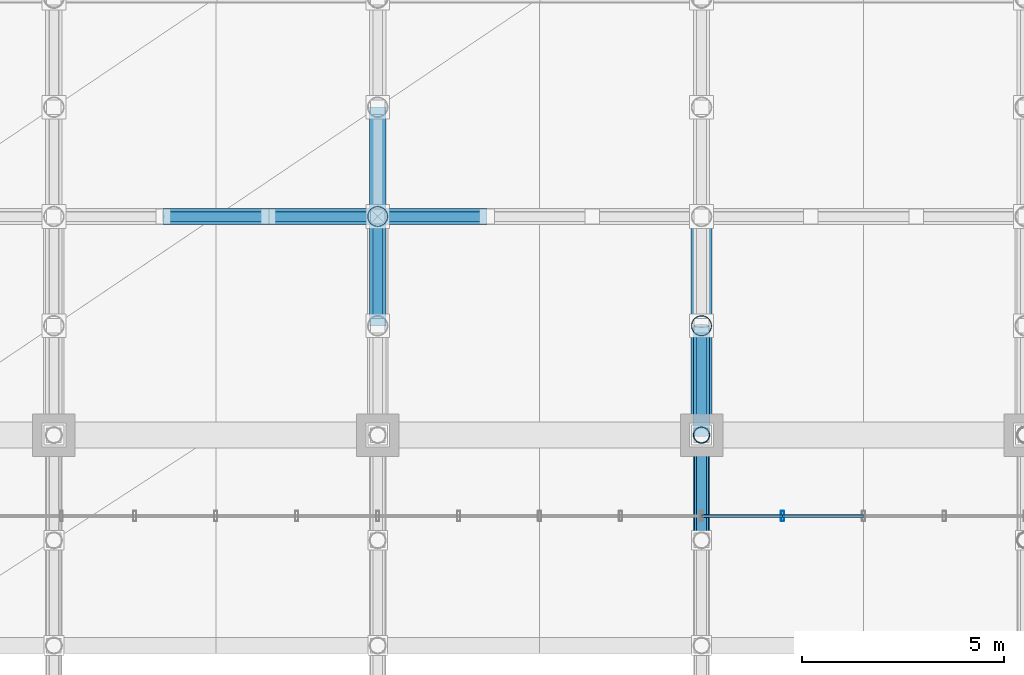
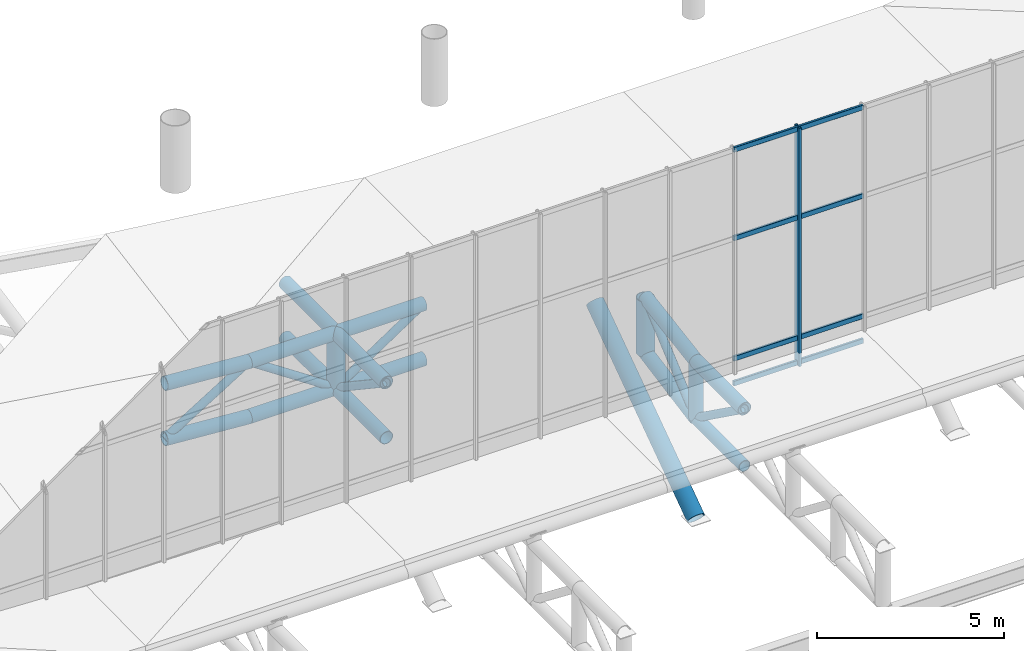
# One storey, part 50 of 137: 33 members, 1 element without a shape of its own.
"""IFC4 building model written with IfcOpenShell, lengths in metres."""

from ifc_helpers import new_model, si_unit, direction, frame, origin, origin_2d, place, context, subcontext, project, spatial, hollow_rectangle, hollow_circle, extrude, material, layer, layer_set, material_profile, profile_set, type_object, element, aggregate, save


model = new_model("IFC4")

# Units and contexts
model_context = context("Model", 3, precision=1e-05, world=origin(), true_north=direction((0.0, 1.0)))
body_context = subcontext(model_context, "Body", "Model", "MODEL_VIEW")
ifc_project = project(units=[si_unit("LENGTHUNIT", "METRE"), si_unit("AREAUNIT", "SQUARE_METRE"), si_unit("VOLUMEUNIT", "CUBIC_METRE"), si_unit("PLANEANGLEUNIT", "RADIAN"), si_unit("MASSUNIT", "GRAM", prefix="KILO")], contexts=[model_context])

# Site, building, storey
site_placement = place(None, origin())
site = spatial("IfcSite", under=ifc_project, at=site_placement, CompositionType="ELEMENT")
building_placement = place(site_placement, origin())
building = spatial("IfcBuilding", under=site, at=building_placement, Name="Khorjan Park Terminus", CompositionType="ELEMENT")
storey_placement = place(building_placement, frame((0.0, 0.0, 11.4)))
storey = spatial("IfcBuildingStorey", under=building, at=storey_placement, Name="L02", CompositionType="ELEMENT", Elevation=11.4)

# Members
ifc_material_1 = material(Name="Steel S355", Category="steel")
ifc_material_profile_1 = material_profile(ifc_material_1, hollow_circle(Radius=0.1222, WallThickness=0.0125, at=origin_2d()), Name="CHS 244.5x12.5")
ifc_profile_set_1 = profile_set([ifc_material_profile_1], Name="Steel S355")
member_type_1 = type_object("IfcMemberType", Name="MB-BR-245", PredefinedType="BRACE", material=ifc_profile_set_1)
member_1_placement = place(storey_placement, frame((88.0, 85.4, -0.05), z_axis=(0.0, 0.811830357573, -0.583893372562), x_axis=(-1.0, 0.0, 0.0)))
element("IfcMember", 1, at=member_1_placement, inside=storey, type_object=member_type_1, Name="Lower shell cantilever truss diagonal (6N)", PredefinedType="BRACE", context=body_context, shape_type="SweptSolid", body=[
    extrude(hollow_circle(Radius=0.1222, WallThickness=0.0125, at=origin_2d()), origin(), (0.0, 0.0, 1.0), 3.2026),
])
ifc_material_profile_2 = material_profile(ifc_material_1, hollow_circle(Radius=0.1222, WallThickness=0.0125, at=origin_2d()), Name="CHS 244.5x12.5")
ifc_profile_set_2 = profile_set([ifc_material_profile_2], Name="Steel S355")
member_type_2 = type_object("IfcMemberType", Name="MB-BRE-245", PredefinedType="BRACE", material=ifc_profile_set_2)
member_2_placement = place(storey_placement, frame((80.0, 90.7, 0.392), z_axis=(0.0, 0.832050294338, -0.554700196225), x_axis=(-1.0, 0.0, 0.0)))
element("IfcMember", 2, at=member_2_placement, inside=storey, type_object=member_type_2, Name="Lower shell cantilever truss diagonal (5N)", PredefinedType="BRACE", context=body_context, shape_type="SweptSolid", body=[
    extrude(hollow_circle(Radius=0.1222, WallThickness=0.0125, at=origin_2d()), origin(), (0.0, 0.0, 1.0), 3.245),
])
member_3_placement = place(storey_placement, frame((88.0, 88.0, -1.92), z_axis=(0.0, 0.759574242279, 0.650420610426), x_axis=(-1.0, 0.0, 0.0)))
element("IfcMember", 3, at=member_3_placement, inside=storey, type_object=member_type_2, Name="Lower shell cantilever truss diagonal (6N)", PredefinedType="BRACE", context=body_context, shape_type="SweptSolid", body=[
    extrude(hollow_circle(Radius=0.1222, WallThickness=0.0125, at=origin_2d()), origin(), (0.0, 0.0, 1.0), 3.5546),
])
member_4_placement = place(storey_placement, frame((74.7, 93.4, -1.2194), z_axis=(0.849990525921, 0.0, 0.526797974411), x_axis=(0.0, 1.0, 0.0)))
element("IfcMember", 4, at=member_4_placement, inside=storey, type_object=member_type_2, Name="Lower shell mid-ring diagonal (N15)", PredefinedType="BRACE", context=body_context, shape_type="SweptSolid", body=[
    extrude(hollow_circle(Radius=0.1222, WallThickness=0.0125, at=origin_2d()), origin(), (0.0, 0.0, 1.0), 3.0589),
])
for number, where, z_axis, x_axis, name in (
    (5, (77.3, 93.4, 0.392), (0.832050294338, 0.0, -0.554700196225), (0.0, 1.0, 0.0), "Lower shell mid-ring diagonal (N16)"),
    (6, (80.0, 93.4, -1.408), (0.832050294338, 0.0, 0.554700196225), (0.0, 1.0, 0.0), "Lower shell mid-ring diagonal (N17)"),
):
    element("IfcMember", number, at=place(storey_placement, frame(where, z_axis=z_axis, x_axis=x_axis)), inside=storey, type_object=member_type_2, Name=name, PredefinedType="BRACE", context=body_context, shape_type="SweptSolid", body=[
        extrude(hollow_circle(Radius=0.1222, WallThickness=0.0125, at=origin_2d()), origin(), (0.0, 0.0, 1.0), 3.245),
    ])
ifc_material_profile_3 = material_profile(ifc_material_1, hollow_circle(Radius=0.1778, WallThickness=0.016, at=origin_2d()), Name="CHS 355.6x16")
ifc_profile_set_3 = profile_set([ifc_material_profile_3], Name="Steel S355")
member_type_3 = type_object("IfcMemberType", Name="MB-CH-356", PredefinedType="CHORD", material=ifc_profile_set_3)
member_5_placement = place(storey_placement, frame((88.0, 85.4, -1.92), z_axis=(0.0, 1.0, 0.0), x_axis=(-1.0, 0.0, 0.0)))
element("IfcMember", 7, at=member_5_placement, inside=storey, type_object=member_type_3, Name="Lower shell cantilever truss bottom chord (6N)", PredefinedType="CHORD", context=body_context, shape_type="SweptSolid", body=[
    extrude(hollow_circle(Radius=0.1778, WallThickness=0.016, at=origin_2d()), origin(), (0.0, 0.0, 1.0), 2.6),
])
ifc_material_profile_4 = material_profile(ifc_material_1, hollow_circle(Radius=0.2032, WallThickness=0.016, at=origin_2d()), Name="CHS 406.4x16")
ifc_profile_set_4 = profile_set([ifc_material_profile_4], Name="Steel S355")
member_type_4 = type_object("IfcMemberType", Name="MB-CH-406", PredefinedType="CHORD", material=ifc_profile_set_4)
member_6_placement = place(storey_placement, frame((88.0, 85.4, -0.05), z_axis=(0.0, 1.0, 0.0), x_axis=(-1.0, 0.0, 0.0)))
element("IfcMember", 8, at=member_6_placement, inside=storey, type_object=member_type_4, Name="Lower shell cantilever truss top chord (6N)", PredefinedType="CHORD", context=body_context, shape_type="SweptSolid", body=[
    extrude(hollow_circle(Radius=0.2032, WallThickness=0.016, at=origin_2d()), origin(), (0.0, 0.0, 1.0), 2.6),
])
ifc_material_profile_5 = material_profile(ifc_material_1, hollow_circle(Radius=0.2032, WallThickness=0.016, at=origin_2d()), Name="CHS 406.4x16")
ifc_profile_set_5 = profile_set([ifc_material_profile_5], Name="Steel S355")
member_type_5 = type_object("IfcMemberType", Name="MB-CHE-406", PredefinedType="CHORD", material=ifc_profile_set_5)
for number, where, z_axis, x_axis, name in (
    (9, (80.0, 90.7, 0.392), (0.0, 1.0, 0.0), (-1.0, 0.0, 0.0), "Lower shell cantilever truss top chord (5N)"),
    (10, (80.0, 90.7, -1.408), (0.0, 1.0, 0.0), (-1.0, 0.0, 0.0), "Lower shell cantilever truss bottom chord (5N)"),
    (11, (80.0, 93.4, 0.392), (0.0, 1.0, 0.0), (-1.0, 0.0, 0.0), "Lower shell cantilever truss top chord (5N)"),
    (12, (80.0, 93.4, -1.408), (0.0, 1.0, 0.0), (-1.0, 0.0, 0.0), "Lower shell cantilever truss bottom chord (5N)"),
):
    element("IfcMember", number, at=place(storey_placement, frame(where, z_axis=z_axis, x_axis=x_axis)), inside=storey, type_object=member_type_5, Name=name, PredefinedType="CHORD", context=body_context, shape_type="SweptSolid", body=[
        extrude(hollow_circle(Radius=0.2032, WallThickness=0.016, at=origin_2d()), origin(), (0.0, 0.0, 1.0), 2.7),
    ])
member_7_placement = place(storey_placement, frame((88.0, 88.0, -0.05), z_axis=(0.0, 0.986863989833, 0.161553290188), x_axis=(-1.0, 0.0, 0.0)))
element("IfcMember", 13, at=member_7_placement, inside=storey, type_object=member_type_5, Name="Lower shell cantilever truss top chord (6N)", PredefinedType="CHORD", context=body_context, shape_type="SweptSolid", body=[
    extrude(hollow_circle(Radius=0.2032, WallThickness=0.016, at=origin_2d()), origin(), (0.0, 0.0, 1.0), 2.7359),
])
member_8_placement = place(storey_placement, frame((88.0, 88.0, -1.92), z_axis=(0.0, 0.98249111826, 0.18630942687), x_axis=(-1.0, 0.0, 0.0)))
element("IfcMember", 14, at=member_8_placement, inside=storey, type_object=member_type_5, Name="Lower shell cantilever truss bottom chord (6N)", PredefinedType="CHORD", context=body_context, shape_type="SweptSolid", body=[
    extrude(hollow_circle(Radius=0.2032, WallThickness=0.016, at=origin_2d()), origin(), (0.0, 0.0, 1.0), 2.7481),
])
for number, where, z_axis, x_axis, name in (
    (15, (74.7, 93.4, 0.5806), (0.997379423046, 0.0, -0.072348368918), (0.0, 1.0, 0.0), "Lower shell mid-ring top chord (N15)"),
    (16, (74.7, 93.4, -1.2194), (0.997379423046, 0.0, -0.072348368918), (0.0, 1.0, 0.0), "Lower shell mid-ring bottom chord (N15)"),
):
    element("IfcMember", number, at=place(storey_placement, frame(where, z_axis=z_axis, x_axis=x_axis)), inside=storey, type_object=member_type_5, Name=name, PredefinedType="CHORD", context=body_context, shape_type="SweptSolid", body=[
        extrude(hollow_circle(Radius=0.2032, WallThickness=0.016, at=origin_2d()), origin(), (0.0, 0.0, 1.0), 2.6068),
    ])
for number, where, z_axis, x_axis, name in (
    (17, (77.3, 93.4, 0.392), (1.0, 0.0, 0.0), (0.0, 1.0, 0.0), "Lower shell mid-ring top chord (N16)"),
    (18, (77.3, 93.4, -1.408), (1.0, 0.0, 0.0), (0.0, 1.0, 0.0), "Lower shell mid-ring bottom chord (N16)"),
    (19, (80.0, 93.4, 0.392), (1.0, 0.0, 0.0), (0.0, 1.0, 0.0), "Lower shell mid-ring top chord (N17)"),
    (20, (80.0, 93.4, -1.408), (1.0, 0.0, 0.0), (0.0, 1.0, 0.0), "Lower shell mid-ring bottom chord (N17)"),
):
    element("IfcMember", number, at=place(storey_placement, frame(where, z_axis=z_axis, x_axis=x_axis)), inside=storey, type_object=member_type_5, Name=name, PredefinedType="CHORD", context=body_context, shape_type="SweptSolid", body=[
        extrude(hollow_circle(Radius=0.2032, WallThickness=0.016, at=origin_2d()), origin(), (0.0, 0.0, 1.0), 2.7),
    ])
ifc_material_profile_6 = material_profile(ifc_material_1, hollow_circle(Radius=0.2032, WallThickness=0.016, at=origin_2d()), Name="CHS 406.4x16")
ifc_profile_set_6 = profile_set([ifc_material_profile_6], Name="Steel S355")
member_type_6 = type_object("IfcMemberType", Name="MB-ST-406", PredefinedType="STRUT", material=ifc_profile_set_6)
member_9_placement = place(storey_placement, frame((88.0, 88.0, -1.92), z_axis=(0.0, 0.0, 1.0), x_axis=(1.0, 0.0, 0.0)))
element("IfcMember", 21, at=member_9_placement, inside=storey, type_object=member_type_6, Name="Lower shell cantilever truss post (6N)", PredefinedType="STRUT", context=body_context, shape_type="SweptSolid", body=[
    extrude(hollow_circle(Radius=0.2032, WallThickness=0.016, at=origin_2d()), origin(), (0.0, 0.0, 1.0), 1.87),
])
ifc_material_profile_7 = material_profile(ifc_material_1, hollow_circle(Radius=0.254, WallThickness=0.02, at=origin_2d()), Name="CHS 508x20")
ifc_profile_set_7 = profile_set([ifc_material_profile_7], Name="Steel S355")
member_type_7 = type_object("IfcMemberType", Name="MB-STE-508", PredefinedType="STRUT", material=ifc_profile_set_7)
for number, where, z_axis, x_axis, name in (
    (22, (80.0, 93.4, -1.408), (0.0, 0.0, 1.0), (1.0, 0.0, 0.0), "Lower shell cantilever truss post (5N)"),
    (23, (88.0, 90.7, -1.408), (0.0, 0.0, 1.0), (1.0, 0.0, 0.0), "Lower shell cantilever truss post (6N)"),
):
    element("IfcMember", number, at=place(storey_placement, frame(where, z_axis=z_axis, x_axis=x_axis)), inside=storey, type_object=member_type_7, Name=name, PredefinedType="STRUT", context=body_context, shape_type="SweptSolid", body=[
        extrude(hollow_circle(Radius=0.254, WallThickness=0.02, at=origin_2d()), origin(), (0.0, 0.0, 1.0), 1.8),
    ])
member_10_placement = place(storey_placement, frame((88.0, 88.0, -5.2), z_axis=(0.0, 0.818376628533, 0.574682254703), x_axis=(-1.0, 0.0, 0.0)))
element("IfcMember", 24, at=member_10_placement, inside=storey, type_object=member_type_7, Name="Lower shell raked overhang V-strut STE-51 (6N)", PredefinedType="STRUT", context=body_context, shape_type="SweptSolid", body=[
    extrude(hollow_circle(Radius=0.254, WallThickness=0.02, at=origin_2d()), origin(), (0.0, 0.0, 1.0), 6.5984),
])

# Curtain wall, members
ifc_material_2 = material(Name="Anodized Bronze Aluminium", Category="aluminium")
ifc_layer = layer(ifc_material_2, 0.22)
ifc_layer_set = layer_set([ifc_layer], Name="Anodized Bronze Aluminium")
curtain_wall_type = type_object("IfcCurtainWallType", Name="CW-CONC-CLR", PredefinedType="NOTDEFINED", material=ifc_layer_set)
curtain_wall_placement = place(storey_placement, origin())
curtain_wall = element("IfcCurtainWall", 25, at=curtain_wall_placement, inside=storey, type_object=curtain_wall_type, Name="Unitized curtain wall CW-CL (CW-V2-N-CLR-04)", PredefinedType="NOTDEFINED")
ifc_material_profile_8 = material_profile(ifc_material_2, hollow_rectangle(XDim=0.08, YDim=0.25, WallThickness=0.005, InnerFilletRadius=0.005, OuterFilletRadius=0.01, at=origin_2d()), Name="ALM 80x250x5")
ifc_profile_set_8 = profile_set([ifc_material_profile_8], Name="Anodized Bronze Aluminium")
member_type_8 = type_object("IfcMemberType", Name="ML-ALM-250", PredefinedType="MULLION", material=ifc_profile_set_8)
member_11_placement = place(storey_placement, frame((90.0, 86.0, 0.345), z_axis=(0.0, 0.0, 1.0), x_axis=(-1.0, 0.0, 0.0)))
member_11 = element("IfcMember", 26, at=member_11_placement, type_object=member_type_8, Name="Curtain-wall mullion ML-25 (CW-V2-N-CLR-04-1)", PredefinedType="MULLION", context=body_context, shape_type="SweptSolid", body=[
    extrude(hollow_rectangle(XDim=0.08, YDim=0.25, WallThickness=0.005, InnerFilletRadius=0.005, OuterFilletRadius=0.01, at=origin_2d()), origin(), (0.0, 0.0, 1.0), 7.7782),
])
ifc_material_profile_9 = material_profile(ifc_material_2, hollow_rectangle(XDim=0.07, YDim=0.16, WallThickness=0.004, InnerFilletRadius=0.004, OuterFilletRadius=0.008, at=origin_2d()), Name="ALT 70x160x4")
ifc_profile_set_9 = profile_set([ifc_material_profile_9], Name="Anodized Bronze Aluminium")
member_type_9 = type_object("IfcMemberType", Name="TR-ALT-160", PredefinedType="USERDEFINED", material=ifc_profile_set_9)
member_12_placement = place(storey_placement, frame((92.0, 86.0, 0.42), z_axis=(-1.0, 0.0, 0.0), x_axis=(0.0, -1.0, 0.0)))
member_12 = element("IfcMember", 27, at=member_12_placement, type_object=member_type_9, Name="Curtain-wall transom TR-16 (CW-V2-N-CLR-04-0-1)", ObjectType="TRANSOM", PredefinedType="USERDEFINED", context=body_context, shape_type="SweptSolid", body=[
    extrude(hollow_rectangle(XDim=0.07, YDim=0.16, WallThickness=0.004, InnerFilletRadius=0.004, OuterFilletRadius=0.008, at=origin_2d()), origin(), (0.0, 0.0, 1.0), 2.0),
])
member_13_placement = place(storey_placement, frame((92.0, 86.0, 1.23), z_axis=(-1.0, 0.0, 0.0), x_axis=(0.0, -1.0, 0.0)))
member_13 = element("IfcMember", 28, at=member_13_placement, type_object=member_type_9, Name="Curtain-wall transom TR-16 (CW-V2-N-CLR-04-0-2)", ObjectType="TRANSOM", PredefinedType="USERDEFINED", context=body_context, shape_type="SweptSolid", body=[
    extrude(hollow_rectangle(XDim=0.07, YDim=0.16, WallThickness=0.004, InnerFilletRadius=0.004, OuterFilletRadius=0.008, at=origin_2d()), origin(), (0.0, 0.0, 1.0), 2.0),
])
member_14_placement = place(storey_placement, frame((92.0, 86.0, 5.1591), z_axis=(-1.0, 0.0, 0.0), x_axis=(0.0, -1.0, 0.0)))
member_14 = element("IfcMember", 29, at=member_14_placement, type_object=member_type_9, Name="Curtain-wall transom TR-16 (CW-V2-N-CLR-04-0-3)", ObjectType="TRANSOM", PredefinedType="USERDEFINED", context=body_context, shape_type="SweptSolid", body=[
    extrude(hollow_rectangle(XDim=0.07, YDim=0.16, WallThickness=0.004, InnerFilletRadius=0.004, OuterFilletRadius=0.008, at=origin_2d()), origin(), (0.0, 0.0, 1.0), 2.0),
])
member_15_placement = place(storey_placement, frame((92.0, 86.0, 8.0482), z_axis=(-1.0, 0.0, 0.0), x_axis=(0.0, -1.0, 0.0)))
member_15 = element("IfcMember", 30, at=member_15_placement, type_object=member_type_9, Name="Curtain-wall transom TR-16 (CW-V2-N-CLR-04-0-4)", ObjectType="TRANSOM", PredefinedType="USERDEFINED", context=body_context, shape_type="SweptSolid", body=[
    extrude(hollow_rectangle(XDim=0.07, YDim=0.16, WallThickness=0.004, InnerFilletRadius=0.004, OuterFilletRadius=0.008, at=origin_2d()), origin(), (0.0, 0.0, 1.0), 2.0),
])
member_16_placement = place(storey_placement, frame((90.0, 86.0, 0.42), z_axis=(-1.0, 0.0, 0.0), x_axis=(0.0, -1.0, 0.0)))
member_16 = element("IfcMember", 31, at=member_16_placement, type_object=member_type_9, Name="Curtain-wall transom TR-16 (CW-V2-N-CLR-04-1-1)", ObjectType="TRANSOM", PredefinedType="USERDEFINED", context=body_context, shape_type="SweptSolid", body=[
    extrude(hollow_rectangle(XDim=0.07, YDim=0.16, WallThickness=0.004, InnerFilletRadius=0.004, OuterFilletRadius=0.008, at=origin_2d()), origin(), (0.0, 0.0, 1.0), 2.0),
])
member_17_placement = place(storey_placement, frame((90.0, 86.0, 1.23), z_axis=(-1.0, 0.0, 0.0), x_axis=(0.0, -1.0, 0.0)))
member_17 = element("IfcMember", 32, at=member_17_placement, type_object=member_type_9, Name="Curtain-wall transom TR-16 (CW-V2-N-CLR-04-1-2)", ObjectType="TRANSOM", PredefinedType="USERDEFINED", context=body_context, shape_type="SweptSolid", body=[
    extrude(hollow_rectangle(XDim=0.07, YDim=0.16, WallThickness=0.004, InnerFilletRadius=0.004, OuterFilletRadius=0.008, at=origin_2d()), origin(), (0.0, 0.0, 1.0), 2.0),
])
member_18_placement = place(storey_placement, frame((90.0, 86.0, 5.1591), z_axis=(-1.0, 0.0, 0.0), x_axis=(0.0, -1.0, 0.0)))
member_18 = element("IfcMember", 33, at=member_18_placement, type_object=member_type_9, Name="Curtain-wall transom TR-16 (CW-V2-N-CLR-04-1-3)", ObjectType="TRANSOM", PredefinedType="USERDEFINED", context=body_context, shape_type="SweptSolid", body=[
    extrude(hollow_rectangle(XDim=0.07, YDim=0.16, WallThickness=0.004, InnerFilletRadius=0.004, OuterFilletRadius=0.008, at=origin_2d()), origin(), (0.0, 0.0, 1.0), 2.0),
])
member_19_placement = place(storey_placement, frame((90.0, 86.0, 8.0482), z_axis=(-1.0, 0.0, 0.0), x_axis=(0.0, -1.0, 0.0)))
member_19 = element("IfcMember", 34, at=member_19_placement, type_object=member_type_9, Name="Curtain-wall transom TR-16 (CW-V2-N-CLR-04-1-4)", ObjectType="TRANSOM", PredefinedType="USERDEFINED", context=body_context, shape_type="SweptSolid", body=[
    extrude(hollow_rectangle(XDim=0.07, YDim=0.16, WallThickness=0.004, InnerFilletRadius=0.004, OuterFilletRadius=0.008, at=origin_2d()), origin(), (0.0, 0.0, 1.0), 2.0),
])
aggregate(curtain_wall, [member_11, member_12, member_13, member_14, member_15, member_16, member_17, member_18, member_19])

save(model, "model.ifc")
